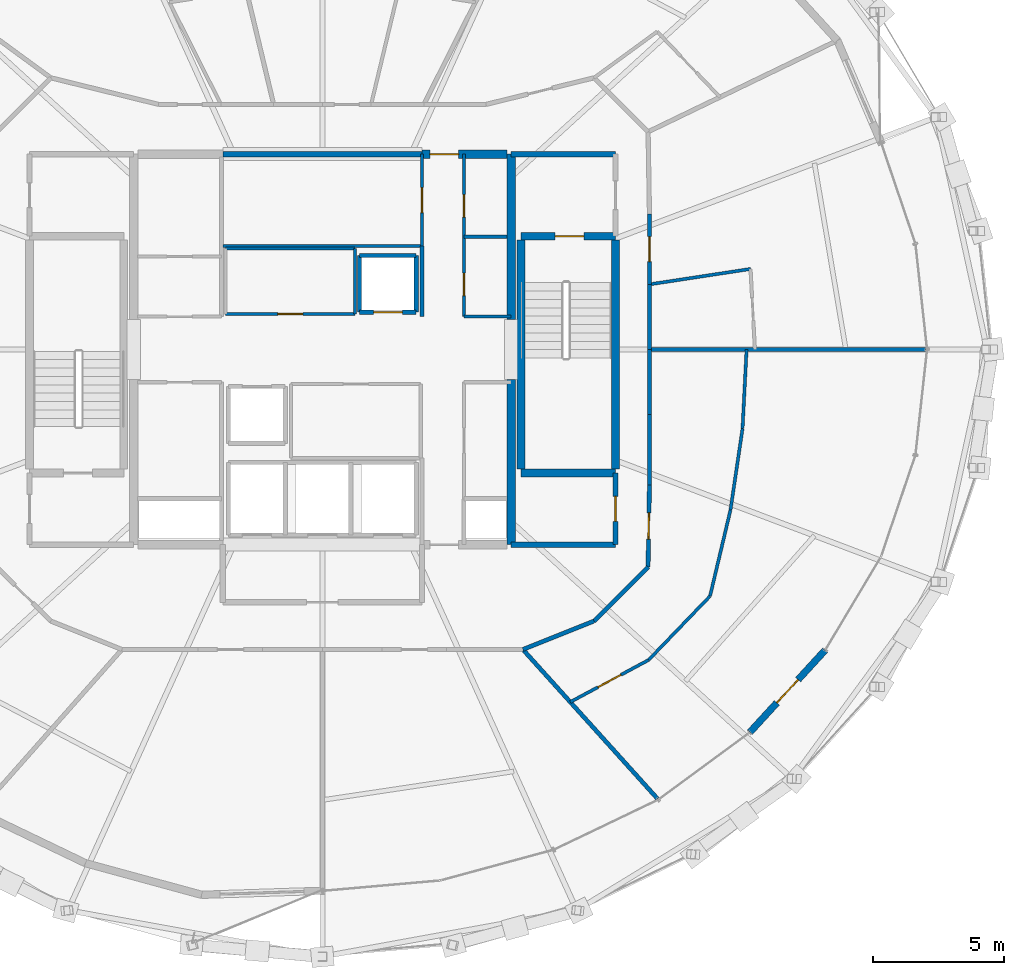
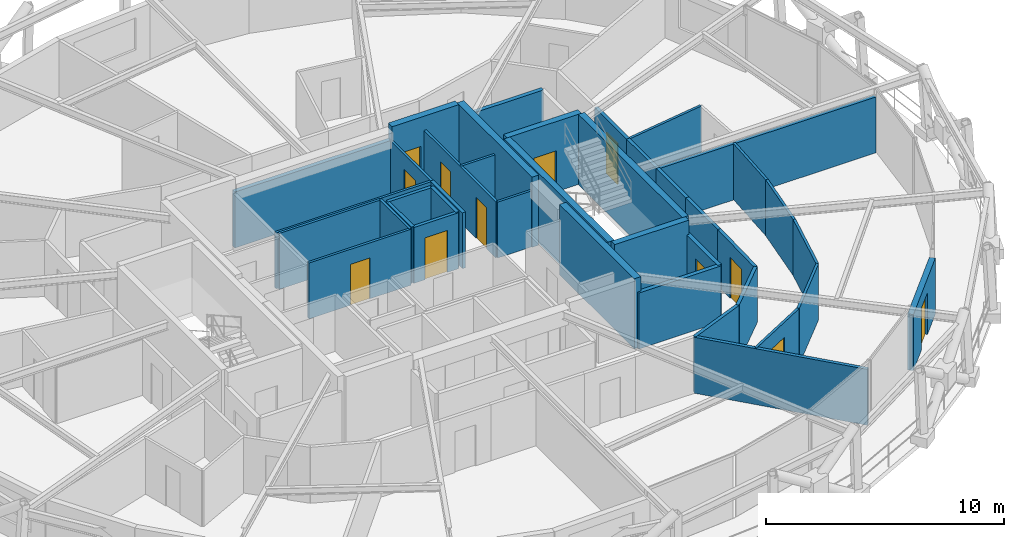
# One storey, part 14 of 17: 40 walls, 12 doors, 12 openings.
"""IFC4 building model written with IfcOpenShell, lengths in metres."""

from ifc_helpers import new_model, si_unit, direction, frame, frame_2d, origin, place, context, subcontext, project, spatial, rectangle, extrude, material, layer, layer_set, type_object, element, fill, save


model = new_model("IFC4")

# Units and contexts
model_context = context("Model", 3, precision=1e-05, world=origin(), true_north=direction((0.0, 1.0)))
body_context = subcontext(model_context, "Body", "Model", "MODEL_VIEW")
ifc_project = project(units=[si_unit("LENGTHUNIT", "METRE"), si_unit("AREAUNIT", "SQUARE_METRE"), si_unit("VOLUMEUNIT", "CUBIC_METRE"), si_unit("PLANEANGLEUNIT", "RADIAN"), si_unit("MASSUNIT", "GRAM", prefix="KILO")], contexts=[model_context])

# Site, building, storey
site_placement = place(None, origin())
site = spatial("IfcSite", under=ifc_project, at=site_placement, CompositionType="ELEMENT")
building_placement = place(site_placement, origin())
building = spatial("IfcBuilding", under=site, at=building_placement, Name="Veldorina Hangang Commons", CompositionType="ELEMENT")
storey_placement = place(building_placement, frame((0.0, 0.0, 214.800048828125)))
storey = spatial("IfcBuildingStorey", under=building, at=storey_placement, Name="L55", CompositionType="ELEMENT", Elevation=214.800048828125)

# Walls
ifc_material_1 = material(Name="Concrete C50/60", Category="concrete")
ifc_layer_1 = layer(ifc_material_1, 0.320068359375)
ifc_layer_set_1 = layer_set([ifc_layer_1], Name="Concrete C50/60")
wall_type_1 = type_object("IfcWallType", Name="CW-RC320-C50", PredefinedType="SHEAR", material=ifc_layer_set_1)
for number, where, z_axis, x_axis, name in (
    (1, (39.199951171875, 16.550048828125, 0.0), (0.0, 0.0, 1.0), (0.0, 1.0, 0.0), "L55 E south core shear wall"),
    (2, (39.199951171875, 25.14990234375, 0.0), (0.0, 0.0, 1.0), (0.0, 1.0, 0.0), "L55 E north core shear wall"),
):
    element("IfcWall", number, at=place(storey_placement, frame(where, z_axis=z_axis, x_axis=x_axis)), inside=storey, type_object=wall_type_1, Name=name, PredefinedType="SHEAR", context=body_context, shape_type="SweptSolid", body=[
        extrude(rectangle(XDim=6.300048828125, YDim=0.320068359375, at=frame_2d((3.14990234375, 0.0))), origin(), (0.0, 0.0, 1.0), 3.599853515625),
    ])

# Wall, opening, door
wall_1_placement = place(storey_placement, frame((35.800048828125, 31.449951171875, 0.0), z_axis=(0.0, 0.0, 1.0), x_axis=(1.0, 0.0, 0.0)))
wall_1 = element("IfcWall", 3, at=wall_1_placement, inside=storey, type_object=wall_type_1, Name="L55 north-east core shear wall", PredefinedType="SHEAR", context=body_context, shape_type="SweptSolid", body=[
    extrude(rectangle(XDim=3.239990234375, YDim=0.320068359375, at=frame_2d((1.6201171875, 0.0))), origin(), (0.0, 0.0, 1.0), 3.599853515625),
])
opening_1_placement = place(wall_1_placement, frame((0.300048828125, 0.0, 0.0)))
opening_1 = element("IfcOpeningElement", 4, at=opening_1_placement, cuts=wall_1, Name="Opening D-08", PredefinedType="OPENING", context=body_context, shape_type="SweptSolid", body=[
    extrude(rectangle(XDim=1.10009765625, YDim=2.10009765625, at=frame_2d((0.550048828125, 1.050048828125))), frame((0.0, 0.169921875, 0.0), z_axis=(0.0, -1.0, 0.0), x_axis=(1.0, 0.0, 0.0)), (0.0, 0.0, 1.0), 0.340087890625),
])
ifc_material_2 = material(Name="Steel Fire-Rated Smoke Seal", Category="steel")
door_type_1 = type_object("IfcDoorType", Name="DR-FIRE-1100", OperationType="SINGLE_SWING_RIGHT", PredefinedType="DOOR", material=ifc_material_2)
door_1_placement = place(opening_1_placement, origin())
door_1 = element("IfcDoor", 5, at=door_1_placement, inside=storey, type_object=door_type_1, Name="L55 central lift lobby north corridor door", OperationType="SINGLE_SWING_LEFT", OverallHeight=2.10009765625, OverallWidth=1.10009765625, PredefinedType="DOOR", context=body_context, shape_type="SweptSolid", body=[
    extrude(rectangle(XDim=1.10009765625, YDim=2.10009765625, at=frame_2d((0.550048828125, 1.050048828125))), frame((0.0, 0.02490234375, 0.0), z_axis=(0.0, -1.0, 0.0), x_axis=(1.0, 0.0, 0.0)), (0.0, 0.0, 1.0), 0.050048828125),
])
fill(opening_1, door_1)

ifc_material_3 = material(Name="Stone Roman Travertine", Category="masonry")
ifc_layer_2 = layer(ifc_material_3, 0.260009765625)
ifc_layer_set_2 = layer_set([ifc_layer_2], Name="Stone Roman Travertine")
wall_type_2 = type_object("IfcWallType", Name="EW-LOGGIA-260", PredefinedType="STANDARD", material=ifc_layer_set_2)
wall_2_placement = place(storey_placement, frame((48.31298828125, 9.39208984375, 0.0), z_axis=(0.0, 0.0, 1.0), x_axis=(0.675617876926, 0.737251981603, 0.0)))
wall_2 = element("IfcWall", 6, at=wall_2_placement, inside=storey, type_object=wall_type_2, Name="L55 sky-garden loggia portal wall 28", PredefinedType="STANDARD", context=body_context, shape_type="SweptSolid", body=[
    extrude(rectangle(XDim=4.246337890625, YDim=0.260009765625, at=frame_2d((2.123046875, 0.0))), origin(), (0.0, 0.0, 1.0), 2.8798828125),
])
opening_2_placement = place(wall_2_placement, frame((1.523193359375, 0.0, 0.0)))
opening_2 = element("IfcOpeningElement", 7, at=opening_2_placement, cuts=wall_2, Name="Opening BD-1200", PredefinedType="OPENING", context=body_context, shape_type="SweptSolid", body=[
    extrude(rectangle(XDim=1.199951171875, YDim=2.14990234375, at=frame_2d((0.60009765625, 1.074951171875))), frame((0.0, 0.14013671875, 0.0), z_axis=(0.0, -1.0, 0.0), x_axis=(1.0, 0.0, 0.0)), (0.0, 0.0, 1.0), 0.280029296875),
])
ifc_material_4 = material(Name="Glass Thermal Aluminium Frame", Category="aluminium")
door_type_2 = type_object("IfcDoorType", Name="DR-EXT-LOG1200", OperationType="SINGLE_SWING_LEFT", PredefinedType="DOOR", material=ifc_material_4)
door_2_placement = place(opening_2_placement, origin())
door_2 = element("IfcDoor", 8, at=door_2_placement, inside=storey, type_object=door_type_2, Name="L55 loggia glazed exterior door 28", OperationType="SINGLE_SWING_LEFT", OverallHeight=2.14990234375, OverallWidth=1.199951171875, PredefinedType="DOOR", context=body_context, shape_type="SweptSolid", body=[
    extrude(rectangle(XDim=1.199951171875, YDim=2.14990234375, at=frame_2d((0.60009765625, 1.074951171875))), frame((0.0, 0.02490234375, 0.0), z_axis=(0.0, -1.0, 0.0), x_axis=(1.0, 0.0, 0.0)), (0.0, 0.0, 1.0), 0.050048828125),
])
fill(opening_2, door_2)

# Walls
ifc_layer_3 = layer(ifc_material_1, 0.300048828125)
ifc_layer_set_3 = layer_set([ifc_layer_3], Name="Concrete C50/60")
wall_type_3 = type_object("IfcWallType", Name="SW-STAIR-300", PredefinedType="SHEAR", material=ifc_layer_set_3)
for number, where, z_axis, x_axis, name in (
    (9, (43.179931640625, 19.429931640625, 0.0), (0.0, 0.0, 1.0), (0.0, 1.0, 0.0), "L55 ST2 outer stair shear wall"),
    (10, (39.580078125, 19.429931640625, 0.0), (0.0, 0.0, 1.0), (0.0, 1.0, 0.0), "L55 ST2 inner stair shear wall"),
):
    element("IfcWall", number, at=place(storey_placement, frame(where, z_axis=z_axis, x_axis=x_axis)), inside=storey, type_object=wall_type_3, Name=name, PredefinedType="SHEAR", context=body_context, shape_type="SweptSolid", body=[
        extrude(rectangle(XDim=8.739990234375, YDim=0.300048828125, at=frame_2d((4.3701171875, 0.0))), origin(), (0.0, 0.0, 1.0), 3.599853515625),
    ])
wall_3_placement = place(storey_placement, frame((39.580078125, 19.280029296875, 0.0), z_axis=(0.0, 0.0, 1.0), x_axis=(1.0, 0.0, 0.0)))
element("IfcWall", 11, at=wall_3_placement, inside=storey, type_object=wall_type_3, Name="L55 ST2 south stair shear wall", PredefinedType="SHEAR", context=body_context, shape_type="SweptSolid", body=[
    extrude(rectangle(XDim=3.599853515625, YDim=0.300048828125, at=frame_2d((1.7998046875, 0.0))), origin(), (0.0, 0.0, 1.0), 3.599853515625),
])

# Wall, opening, door
wall_4_placement = place(storey_placement, frame((39.580078125, 28.320068359375, 0.0), z_axis=(0.0, 0.0, 1.0), x_axis=(1.0, 0.0, 0.0)))
wall_4 = element("IfcWall", 12, at=wall_4_placement, inside=storey, type_object=wall_type_3, Name="L55 ST2 north stair shear wall", PredefinedType="SHEAR", context=body_context, shape_type="SweptSolid", body=[
    extrude(rectangle(XDim=3.599853515625, YDim=0.300048828125, at=frame_2d((1.7998046875, 0.0))), origin(), (0.0, 0.0, 1.0), 3.599853515625),
])
opening_3_placement = place(wall_4_placement, frame((1.300048828125, 0.0, 0.0)))
opening_3 = element("IfcOpeningElement", 13, at=opening_3_placement, cuts=wall_4, Name="Opening D-08", PredefinedType="OPENING", context=body_context, shape_type="SweptSolid", body=[
    extrude(rectangle(XDim=1.10009765625, YDim=2.10009765625, at=frame_2d((0.550048828125, 1.050048828125))), frame((0.0, 0.16015625, 0.0), z_axis=(0.0, -1.0, 0.0), x_axis=(1.0, 0.0, 0.0)), (0.0, 0.0, 1.0), 0.320068359375),
])
door_3_placement = place(opening_3_placement, origin())
door_3 = element("IfcDoor", 14, at=door_3_placement, inside=storey, type_object=door_type_1, Name="L55 Special Escape Stair ST-2 door", OperationType="SINGLE_SWING_RIGHT", OverallHeight=2.10009765625, OverallWidth=1.10009765625, PredefinedType="DOOR", context=body_context, shape_type="SweptSolid", body=[
    extrude(rectangle(XDim=1.10009765625, YDim=2.10009765625, at=frame_2d((0.550048828125, 1.050048828125))), frame((0.0, 0.02490234375, 0.0), z_axis=(0.0, -1.0, 0.0), x_axis=(1.0, 0.0, 0.0)), (0.0, 0.0, 1.0), 0.050048828125),
])
fill(opening_3, door_3)

# Wall
ifc_material_5 = material(Name="Gypsum Fire-Rated Twin Stud Wall", Category="gypsum")
ifc_layer_4 = layer(ifc_material_5, 0.159912109375)
ifc_layer_set_4 = layer_set([ifc_layer_4], Name="Gypsum Fire-Rated Twin Stud Wall")
wall_type_4 = type_object("IfcWallType", Name="WL-FIRE-160", PredefinedType="SOLIDWALL", material=ifc_layer_set_4)
wall_5_placement = place(storey_placement, frame((35.800048828125, 25.25, 0.0), z_axis=(0.0, 0.0, 1.0), x_axis=(0.0, 1.0, 0.0)))
element("IfcWall", 15, at=wall_5_placement, inside=storey, type_object=wall_type_4, Name="L55 Lift passage NW lower wall 011", PredefinedType="SOLIDWALL", context=body_context, shape_type="SweptSolid", body=[
    extrude(rectangle(XDim=2.699951171875, YDim=0.159912109375, at=frame_2d((1.35009765625, 0.0))), origin(), (0.0, 0.0, 1.0), 2.869873046875),
])

# Wall, opening, door
wall_6_placement = place(storey_placement, frame((33.419921875, 25.419921875, 0.0), z_axis=(0.0, 0.0, 1.0), x_axis=(1.0, 0.0, 0.0)))
wall_6 = element("IfcWall", 16, at=wall_6_placement, inside=storey, type_object=wall_type_4, Name="L55 Mid-high front shaft wall 015", PredefinedType="SOLIDWALL", context=body_context, shape_type="SweptSolid", body=[
    extrude(rectangle(XDim=2.16015625, YDim=0.159912109375, at=frame_2d((1.080078125, 0.0))), origin(), (0.0, 0.0, 1.0), 2.869873046875),
])
opening_4_placement = place(wall_6_placement, frame((0.530029296875, 0.0, 0.0)))
opening_4 = element("IfcOpeningElement", 17, at=opening_4_placement, cuts=wall_6, Name="Opening LD-01", PredefinedType="OPENING", context=body_context, shape_type="SweptSolid", body=[
    extrude(rectangle(XDim=1.10009765625, YDim=2.14990234375, at=frame_2d((0.550048828125, 1.074951171875))), frame((0.0, 0.08984375, 0.0), z_axis=(0.0, -1.0, 0.0), x_axis=(1.0, 0.0, 0.0)), (0.0, 0.0, 1.0), 0.179931640625),
])
ifc_material_6 = material(Name="Stainless Steel Brushed Lift Door", Category="steel")
door_type_3 = type_object("IfcDoorType", Name="DR-LIFT-1100", OperationType="SLIDING_TO_LEFT", PredefinedType="DOOR", material=ifc_material_6)
door_4_placement = place(opening_4_placement, origin())
door_4 = element("IfcDoor", 18, at=door_4_placement, inside=storey, type_object=door_type_3, Name="L55 Lift PL-H1 landing door 006", OperationType="SLIDING_TO_RIGHT", OverallHeight=2.14990234375, OverallWidth=1.10009765625, PredefinedType="DOOR", context=body_context, shape_type="SweptSolid", body=[
    extrude(rectangle(XDim=1.10009765625, YDim=2.14990234375, at=frame_2d((0.550048828125, 1.074951171875))), frame((0.0, 0.02490234375, 0.0), z_axis=(0.0, -1.0, 0.0), x_axis=(1.0, 0.0, 0.0)), (0.0, 0.0, 1.0), 0.050048828125),
])
fill(opening_4, door_4)

# Walls
for number, where, z_axis, x_axis, name in (
    (19, (33.419921875, 27.580078125, 0.0), (0.0, 0.0, 1.0), (1.0, 0.0, 0.0), "L55 Mid-high rear shaft wall 016"),
    (20, (33.419921875, 25.419921875, 0.0), (0.0, 0.0, 1.0), (0.0, 1.0, 0.0), "L55 PL-H1 west shaft wall 017"),
    (21, (35.580078125, 25.419921875, 0.0), (0.0, 0.0, 1.0), (0.0, 1.0, 0.0), "L55 PL-H1 east shaft wall 018"),
):
    element("IfcWall", number, at=place(storey_placement, frame(where, z_axis=z_axis, x_axis=x_axis)), inside=storey, type_object=wall_type_4, Name=name, PredefinedType="SOLIDWALL", context=body_context, shape_type="SweptSolid", body=[
        extrude(rectangle(XDim=2.16015625, YDim=0.159912109375, at=frame_2d((1.080078125, 0.0))), origin(), (0.0, 0.0, 1.0), 2.869873046875),
    ])
wall_7_placement = place(storey_placement, frame((44.47998046875, 24.0, 0.0), z_axis=(0.0, 0.0, 1.0), x_axis=(0.0, 1.0, 0.0)))
element("IfcWall", 22, at=wall_7_placement, inside=storey, type_object=wall_type_4, Name="L55 Compact collar outer wall 00 052", PredefinedType="SOLIDWALL", context=body_context, shape_type="SweptSolid", body=[
    extrude(rectangle(XDim=2.482421875, YDim=0.159912109375, at=frame_2d((1.2412109375, 0.0))), origin(), (0.0, 0.0, 1.0), 2.869873046875),
])

# Wall, opening, door
wall_8_placement = place(storey_placement, frame((44.47998046875, 26.482421875, 0.0), z_axis=(0.0, 0.0, 1.0), x_axis=(0.0, 1.0, 0.0)))
wall_8 = element("IfcWall", 23, at=wall_8_placement, inside=storey, type_object=wall_type_4, Name="L55 Compact collar outer wall 01 053", PredefinedType="SOLIDWALL", context=body_context, shape_type="SweptSolid", body=[
    extrude(rectangle(XDim=2.68701171875, YDim=0.159912109375, at=frame_2d((1.343505859375, 0.0))), origin(), (0.0, 0.0, 1.0), 2.869873046875),
])
opening_5_placement = place(wall_8_placement, frame((0.868408203125, 0.0, 0.0)))
opening_5 = element("IfcOpeningElement", 24, at=opening_5_placement, cuts=wall_8, Name="Opening D-03", PredefinedType="OPENING", context=body_context, shape_type="SweptSolid", body=[
    extrude(rectangle(XDim=0.949951171875, YDim=2.10009765625, at=frame_2d((0.47509765625, 1.050048828125))), frame((0.0, 0.08984375, 0.0), z_axis=(0.0, -1.0, 0.0), x_axis=(1.0, 0.0, 0.0)), (0.0, 0.0, 1.0), 0.179931640625),
])
ifc_material_7 = material(Name="Timber Fire-Rated Entrance Core", Category="wood")
door_type_4 = type_object("IfcDoorType", Name="DR-UNIT-950", OperationType="SINGLE_SWING_RIGHT", PredefinedType="DOOR", material=ifc_material_7)
door_5_placement = place(opening_5_placement, origin())
door_5 = element("IfcDoor", 25, at=door_5_placement, inside=storey, type_object=door_type_4, Name="L55 Studio 2 entrance door 023", OperationType="SINGLE_SWING_LEFT", OverallHeight=2.10009765625, OverallWidth=0.949951171875, PredefinedType="DOOR", context=body_context, shape_type="SweptSolid", body=[
    extrude(rectangle(XDim=0.949951171875, YDim=2.10009765625, at=frame_2d((0.47509765625, 1.050048828125))), frame((0.0, 0.02490234375, 0.0), z_axis=(0.0, -1.0, 0.0), x_axis=(1.0, 0.0, 0.0)), (0.0, 0.0, 1.0), 0.050048828125),
])
fill(opening_5, door_5)

# Walls
wall_9_placement = place(storey_placement, frame((39.650634765625, 12.550048828125, 0.0), z_axis=(0.0, 0.0, 1.0), x_axis=(0.92856882165, 0.371160266542, 0.0)))
element("IfcWall", 26, at=wall_9_placement, inside=storey, type_object=wall_type_4, Name="L55 Compact collar outer wall 27 079", PredefinedType="SOLIDWALL", context=body_context, shape_type="SweptSolid", body=[
    extrude(rectangle(XDim=2.923095703125, YDim=0.159912109375, at=frame_2d((1.46142578125, 0.0))), origin(), (0.0, 0.0, 1.0), 2.869873046875),
])
wall_10_placement = place(storey_placement, frame((42.364990234375, 13.635009765625, 0.0), z_axis=(0.0, 0.0, 1.0), x_axis=(0.707106781187, 0.707106781187, 0.0)))
element("IfcWall", 27, at=wall_10_placement, inside=storey, type_object=wall_type_4, Name="L55 Compact collar outer wall 28 080", PredefinedType="SOLIDWALL", context=body_context, shape_type="SweptSolid", body=[
    extrude(rectangle(XDim=2.915771484375, YDim=0.159912109375, at=frame_2d((1.4580078125, 0.0))), origin(), (0.0, 0.0, 1.0), 2.869873046875),
])

# Wall, opening, door
wall_11_placement = place(storey_placement, frame((44.4267578125, 15.69677734375, 0.0), z_axis=(0.0, 0.0, 1.0), x_axis=(0.016981035134, 0.999855811828, 0.0)))
wall_11 = element("IfcWall", 28, at=wall_11_placement, inside=storey, type_object=wall_type_4, Name="L55 Compact collar outer wall 29 081", PredefinedType="SOLIDWALL", context=body_context, shape_type="SweptSolid", body=[
    extrude(rectangle(XDim=3.13427734375, YDim=0.159912109375, at=frame_2d((1.567138671875, 0.0))), origin(), (0.0, 0.0, 1.0), 2.869873046875),
])
opening_6_placement = place(wall_11_placement, frame((1.067138671875, 0.0, 0.0)))
opening_6 = element("IfcOpeningElement", 29, at=opening_6_placement, cuts=wall_11, Name="Opening D-05", PredefinedType="OPENING", context=body_context, shape_type="SweptSolid", body=[
    extrude(rectangle(XDim=1.0, YDim=2.10009765625, at=frame_2d((0.5, 1.050048828125))), frame((0.0, 0.08984375, 0.0), z_axis=(0.0, -1.0, 0.0), x_axis=(1.0, 0.0, 0.0)), (0.0, 0.0, 1.0), 0.179931640625),
])
ifc_material_8 = material(Name="Timber Solid Core Acoustic", Category="wood")
door_type_5 = type_object("IfcDoorType", Name="DR-INT-1000", OperationType="SINGLE_SWING_RIGHT", PredefinedType="DOOR", material=ifc_material_8)
door_6_placement = place(opening_6_placement, origin())
door_6 = element("IfcDoor", 30, at=door_6_placement, inside=storey, type_object=door_type_5, Name="L55 Commons alcove door 020", OperationType="SINGLE_SWING_RIGHT", OverallHeight=2.10009765625, OverallWidth=1.0, PredefinedType="DOOR", context=body_context, shape_type="SweptSolid", body=[
    extrude(rectangle(XDim=1.0, YDim=2.10009765625, at=frame_2d((0.5, 1.050048828125))), frame((0.0, 0.02490234375, 0.0), z_axis=(0.0, -1.0, 0.0), x_axis=(1.0, 0.0, 0.0)), (0.0, 0.0, 1.0), 0.050048828125),
])
fill(opening_6, door_6)

# Walls
wall_12_placement = place(storey_placement, frame((44.47998046875, 18.83056640625, 0.0), z_axis=(0.0, 0.0, 1.0), x_axis=(0.0, 1.0, 0.0)))
element("IfcWall", 31, at=wall_12_placement, inside=storey, type_object=wall_type_4, Name="L55 Compact collar outer wall 30 082", PredefinedType="SOLIDWALL", context=body_context, shape_type="SweptSolid", body=[
    extrude(rectangle(XDim=2.68701171875, YDim=0.159912109375, at=frame_2d((1.343505859375, 0.0))), origin(), (0.0, 0.0, 1.0), 2.869873046875),
])
wall_13_placement = place(storey_placement, frame((44.47998046875, 21.517578125, 0.0), z_axis=(0.0, 0.0, 1.0), x_axis=(0.0, 1.0, 0.0)))
element("IfcWall", 32, at=wall_13_placement, inside=storey, type_object=wall_type_4, Name="L55 Compact collar outer wall 31 083", PredefinedType="SOLIDWALL", context=body_context, shape_type="SweptSolid", body=[
    extrude(rectangle(XDim=2.482421875, YDim=0.159912109375, at=frame_2d((1.2412109375, 0.0))), origin(), (0.0, 0.0, 1.0), 2.869873046875),
])
wall_14_placement = place(storey_placement, frame((39.650634765625, 12.550048828125, 0.0), z_axis=(0.0, 0.0, 1.0), x_axis=(0.669803904272, -0.742538032576, 0.0)))
element("IfcWall", 33, at=wall_14_placement, inside=storey, type_object=wall_type_4, Name="L55 Unit party wall 27 084", PredefinedType="SOLIDWALL", context=body_context, shape_type="SweptSolid", body=[
    extrude(rectangle(XDim=7.6630859375, YDim=0.159912109375, at=frame_2d((3.83154296875, 0.0))), origin(), (0.0, 0.0, 1.0), 2.869873046875),
])
wall_15_placement = place(storey_placement, frame((44.47998046875, 24.0, 0.0), z_axis=(0.0, 0.0, 1.0), x_axis=(1.0, 0.0, 0.0)))
element("IfcWall", 34, at=wall_15_placement, inside=storey, type_object=wall_type_4, Name="L55 Unit party wall 00 090", PredefinedType="SOLIDWALL", context=body_context, shape_type="SweptSolid", body=[
    extrude(rectangle(XDim=10.5400390625, YDim=0.159912109375, at=frame_2d((5.27001953125, 0.0))), origin(), (0.0, 0.0, 1.0), 2.869873046875),
])
ifc_material_9 = material(Name="Concrete Blockwork Fire Wall C30/37", Category="masonry")
ifc_layer_5 = layer(ifc_material_9, 0.199951171875)
ifc_layer_set_5 = layer_set([ifc_layer_5], Name="Concrete Blockwork Fire Wall C30/37")
wall_type_5 = type_object("IfcWallType", Name="WL-FIRE-200", PredefinedType="SOLIDWALL", material=ifc_layer_set_5)
wall_16_placement = place(storey_placement, frame((39.199951171875, 31.449951171875, 0.0), z_axis=(0.0, 0.0, 1.0), x_axis=(1.0, 0.0, 0.0)))
element("IfcWall", 35, at=wall_16_placement, inside=storey, type_object=wall_type_5, Name="L55 East vestibule north wall 004", PredefinedType="SOLIDWALL", context=body_context, shape_type="SweptSolid", body=[
    extrude(rectangle(XDim=3.97998046875, YDim=0.199951171875, at=frame_2d((1.989990234375, 0.0))), origin(), (0.0, 0.0, 1.0), 2.869873046875),
])

# Wall, opening, door
wall_17_placement = place(storey_placement, frame((43.179931640625, 16.550048828125, 0.0), z_axis=(0.0, 0.0, 1.0), x_axis=(0.0, 1.0, 0.0)))
wall_17 = element("IfcWall", 36, at=wall_17_placement, inside=storey, type_object=wall_type_5, Name="L55 SE core room outer wall 007", PredefinedType="SOLIDWALL", context=body_context, shape_type="SweptSolid", body=[
    extrude(rectangle(XDim=2.72998046875, YDim=0.199951171875, at=frame_2d((1.364990234375, 0.0))), origin(), (0.0, 0.0, 1.0), 2.869873046875),
])
opening_7_placement = place(wall_17_placement, frame((0.889892578125, 0.0, 0.0)))
opening_7 = element("IfcOpeningElement", 37, at=opening_7_placement, cuts=wall_17, Name="Opening D-02", PredefinedType="OPENING", context=body_context, shape_type="SweptSolid", body=[
    extrude(rectangle(XDim=0.949951171875, YDim=2.10009765625, at=frame_2d((0.47509765625, 1.050048828125))), frame((0.0, 0.10986328125, 0.0), z_axis=(0.0, -1.0, 0.0), x_axis=(1.0, 0.0, 0.0)), (0.0, 0.0, 1.0), 0.219970703125),
])
door_type_6 = type_object("IfcDoorType", Name="DR-INT-950", OperationType="SINGLE_SWING_LEFT", PredefinedType="DOOR", material=ifc_material_8)
door_7_placement = place(opening_7_placement, origin())
door_7 = element("IfcDoor", 38, at=door_7_placement, inside=storey, type_object=door_type_6, Name="L55 SE core WC door 004", OperationType="SINGLE_SWING_RIGHT", OverallHeight=2.10009765625, OverallWidth=0.949951171875, PredefinedType="DOOR", context=body_context, shape_type="SweptSolid", body=[
    extrude(rectangle(XDim=0.949951171875, YDim=2.10009765625, at=frame_2d((0.47509765625, 1.050048828125))), frame((0.0, 0.02490234375, 0.0), z_axis=(0.0, -1.0, 0.0), x_axis=(1.0, 0.0, 0.0)), (0.0, 0.0, 1.0), 0.050048828125),
])
fill(opening_7, door_7)

# Walls
wall_18_placement = place(storey_placement, frame((39.199951171875, 16.550048828125, 0.0), z_axis=(0.0, 0.0, 1.0), x_axis=(1.0, 0.0, 0.0)))
element("IfcWall", 39, at=wall_18_placement, inside=storey, type_object=wall_type_5, Name="L55 SE core room south wall 008", PredefinedType="SOLIDWALL", context=body_context, shape_type="SweptSolid", body=[
    extrude(rectangle(XDim=3.97998046875, YDim=0.199951171875, at=frame_2d((1.989990234375, 0.0))), origin(), (0.0, 0.0, 1.0), 2.869873046875),
])
wall_19_placement = place(storey_placement, frame((28.199951171875, 31.449951171875, 0.0), z_axis=(0.0, 0.0, 1.0), x_axis=(1.0, 0.0, 0.0)))
element("IfcWall", 40, at=wall_19_placement, inside=storey, type_object=wall_type_5, Name="L55 Merged north core wall 029", PredefinedType="SOLIDWALL", context=body_context, shape_type="SweptSolid", body=[
    extrude(rectangle(XDim=7.60009765625, YDim=0.199951171875, at=frame_2d((3.800048828125, 0.0))), origin(), (0.0, 0.0, 1.0), 2.869873046875),
])
ifc_material_10 = material(Name="Gypsum Acoustic Stud Partition", Category="gypsum")
ifc_layer_6 = layer(ifc_material_10, 0.1201171875)
ifc_layer_set_6 = layer_set([ifc_layer_6], Name="Gypsum Acoustic Stud Partition")
wall_type_6 = type_object("IfcWallType", Name="WL-PART-120", PredefinedType="PARTITIONING", material=ifc_layer_set_6)
wall_20_placement = place(storey_placement, frame((28.199951171875, 27.949951171875, 0.0), z_axis=(0.0, 0.0, 1.0), x_axis=(1.0, 0.0, 0.0)))
element("IfcWall", 41, at=wall_20_placement, inside=storey, type_object=wall_type_6, Name="L55 Merged north south wall 030", PredefinedType="PARTITIONING", context=body_context, shape_type="SweptSolid", body=[
    extrude(rectangle(XDim=7.60009765625, YDim=0.1201171875, at=frame_2d((3.800048828125, 0.0))), origin(), (0.0, 0.0, 1.0), 2.869873046875),
])

# Wall, opening, door
wall_21_placement = place(storey_placement, frame((35.800048828125, 27.949951171875, 0.0), z_axis=(0.0, 0.0, 1.0), x_axis=(0.0, 1.0, 0.0)))
wall_21 = element("IfcWall", 42, at=wall_21_placement, inside=storey, type_object=wall_type_6, Name="L55 Merged north east wall 031", PredefinedType="PARTITIONING", context=body_context, shape_type="SweptSolid", body=[
    extrude(rectangle(XDim=3.5, YDim=0.1201171875, at=frame_2d((1.75, 0.0))), origin(), (0.0, 0.0, 1.0), 2.869873046875),
])
opening_8_placement = place(wall_21_placement, frame((1.27490234375, 0.0, 0.0)))
opening_8 = element("IfcOpeningElement", 43, at=opening_8_placement, cuts=wall_21, Name="Opening D-02", PredefinedType="OPENING", context=body_context, shape_type="SweptSolid", body=[
    extrude(rectangle(XDim=0.949951171875, YDim=2.10009765625, at=frame_2d((0.47509765625, 1.050048828125))), frame((0.0, 0.070068359375, 0.0), z_axis=(0.0, -1.0, 0.0), x_axis=(1.0, 0.0, 0.0)), (0.0, 0.0, 1.0), 0.14013671875),
])
door_8_placement = place(opening_8_placement, origin())
door_8 = element("IfcDoor", 44, at=door_8_placement, inside=storey, type_object=door_type_6, Name="L55 Merged north room lobby door 011", OperationType="SINGLE_SWING_LEFT", OverallHeight=2.10009765625, OverallWidth=0.949951171875, PredefinedType="DOOR", context=body_context, shape_type="SweptSolid", body=[
    extrude(rectangle(XDim=0.949951171875, YDim=2.10009765625, at=frame_2d((0.47509765625, 1.050048828125))), frame((0.0, 0.02490234375, 0.0), z_axis=(0.0, -1.0, 0.0), x_axis=(1.0, 0.0, 0.0)), (0.0, 0.0, 1.0), 0.050048828125),
])
fill(opening_8, door_8)

wall_22_placement = place(storey_placement, frame((28.300048828125, 25.35009765625, 0.0), z_axis=(0.0, 0.0, 1.0), x_axis=(1.0, 0.0, 0.0)))
wall_22 = element("IfcWall", 45, at=wall_22_placement, inside=storey, type_object=wall_type_6, Name="L55 Merged mid-bank south wall 032", PredefinedType="PARTITIONING", context=body_context, shape_type="SweptSolid", body=[
    extrude(rectangle(XDim=4.949951171875, YDim=0.1201171875, at=frame_2d((2.47509765625, 0.0))), origin(), (0.0, 0.0, 1.0), 2.869873046875),
])
opening_9_placement = place(wall_22_placement, frame((2.0, 0.0, 0.0)))
opening_9 = element("IfcOpeningElement", 46, at=opening_9_placement, cuts=wall_22, Name="Opening D-02", PredefinedType="OPENING", context=body_context, shape_type="SweptSolid", body=[
    extrude(rectangle(XDim=0.949951171875, YDim=2.10009765625, at=frame_2d((0.47509765625, 1.050048828125))), frame((0.0, 0.070068359375, 0.0), z_axis=(0.0, -1.0, 0.0), x_axis=(1.0, 0.0, 0.0)), (0.0, 0.0, 1.0), 0.14013671875),
])
door_9_placement = place(opening_9_placement, origin())
door_9 = element("IfcDoor", 47, at=door_9_placement, inside=storey, type_object=door_type_6, Name="L55 Quiet study room door 012", OperationType="SINGLE_SWING_RIGHT", OverallHeight=2.10009765625, OverallWidth=0.949951171875, PredefinedType="DOOR", context=body_context, shape_type="SweptSolid", body=[
    extrude(rectangle(XDim=0.949951171875, YDim=2.10009765625, at=frame_2d((0.47509765625, 1.050048828125))), frame((0.0, 0.02490234375, 0.0), z_axis=(0.0, -1.0, 0.0), x_axis=(1.0, 0.0, 0.0)), (0.0, 0.0, 1.0), 0.050048828125),
])
fill(opening_9, door_9)

# Walls
wall_23_placement = place(storey_placement, frame((28.300048828125, 27.85009765625, 0.0), z_axis=(0.0, 0.0, 1.0), x_axis=(1.0, 0.0, 0.0)))
element("IfcWall", 48, at=wall_23_placement, inside=storey, type_object=wall_type_6, Name="L55 Merged mid-bank north wall 033", PredefinedType="PARTITIONING", context=body_context, shape_type="SweptSolid", body=[
    extrude(rectangle(XDim=4.949951171875, YDim=0.1201171875, at=frame_2d((2.47509765625, 0.0))), origin(), (0.0, 0.0, 1.0), 2.869873046875),
])
wall_24_placement = place(storey_placement, frame((33.25, 25.35009765625, 0.0), z_axis=(0.0, 0.0, 1.0), x_axis=(0.0, 1.0, 0.0)))
element("IfcWall", 49, at=wall_24_placement, inside=storey, type_object=wall_type_6, Name="L55 Merged mid-bank east wall 035", PredefinedType="PARTITIONING", context=body_context, shape_type="SweptSolid", body=[
    extrude(rectangle(XDim=2.5, YDim=0.1201171875, at=frame_2d((1.25, 0.0))), origin(), (0.0, 0.0, 1.0), 2.869873046875),
])

# Wall, openings, doors
wall_25_placement = place(storey_placement, frame((37.39990234375, 25.25, 0.0), z_axis=(0.0, 0.0, 1.0), x_axis=(0.0, 1.0, 0.0)))
wall_25 = element("IfcWall", 50, at=wall_25_placement, inside=storey, type_object=wall_type_6, Name="L55 NE strip lobby wall 046", PredefinedType="PARTITIONING", context=body_context, shape_type="SweptSolid", body=[
    extrude(rectangle(XDim=6.199951171875, YDim=0.1201171875, at=frame_2d((3.10009765625, 0.0))), origin(), (0.0, 0.0, 1.0), 2.869873046875),
])
opening_10_placement = place(wall_25_placement, frame((0.800048828125, 0.0, 0.0)))
opening_10 = element("IfcOpeningElement", 51, at=opening_10_placement, cuts=wall_25, Name="Opening D-01", PredefinedType="OPENING", context=body_context, shape_type="SweptSolid", body=[
    extrude(rectangle(XDim=0.860107421875, YDim=2.10009765625, at=frame_2d((0.43017578125, 1.050048828125))), frame((0.0, 0.070068359375, 0.0), z_axis=(0.0, -1.0, 0.0), x_axis=(1.0, 0.0, 0.0)), (0.0, 0.0, 1.0), 0.14013671875),
])
opening_11_placement = place(wall_25_placement, frame((3.800048828125, 0.0, 0.0)))
opening_11 = element("IfcOpeningElement", 52, at=opening_11_placement, cuts=wall_25, Name="Opening D-01", PredefinedType="OPENING", context=body_context, shape_type="SweptSolid", body=[
    extrude(rectangle(XDim=0.860107421875, YDim=2.10009765625, at=frame_2d((0.43017578125, 1.050048828125))), frame((0.0, 0.070068359375, 0.0), z_axis=(0.0, -1.0, 0.0), x_axis=(1.0, 0.0, 0.0)), (0.0, 0.0, 1.0), 0.14013671875),
])
ifc_material_11 = material(Name="Timber Moisture-Resistant Core", Category="wood")
door_type_7 = type_object("IfcDoorType", Name="DR-WET-860", OperationType="SINGLE_SWING_LEFT", PredefinedType="DOOR", material=ifc_material_11)
door_10_placement = place(opening_10_placement, origin())
door_10 = element("IfcDoor", 53, at=door_10_placement, inside=storey, type_object=door_type_7, Name="L55 Electrical closet door 017", OperationType="SINGLE_SWING_LEFT", OverallHeight=2.10009765625, OverallWidth=0.860107421875, PredefinedType="DOOR", context=body_context, shape_type="SweptSolid", body=[
    extrude(rectangle(XDim=0.860107421875, YDim=2.10009765625, at=frame_2d((0.43017578125, 1.050048828125))), frame((0.0, 0.02490234375, 0.0), z_axis=(0.0, -1.0, 0.0), x_axis=(1.0, 0.0, 0.0)), (0.0, 0.0, 1.0), 0.050048828125),
])
fill(opening_10, door_10)
door_11_placement = place(opening_11_placement, origin())
door_11 = element("IfcDoor", 54, at=door_11_placement, inside=storey, type_object=door_type_7, Name="L55 IT closet door 018", OperationType="SINGLE_SWING_RIGHT", OverallHeight=2.10009765625, OverallWidth=0.860107421875, PredefinedType="DOOR", context=body_context, shape_type="SweptSolid", body=[
    extrude(rectangle(XDim=0.860107421875, YDim=2.10009765625, at=frame_2d((0.43017578125, 1.050048828125))), frame((0.0, 0.02490234375, 0.0), z_axis=(0.0, -1.0, 0.0), x_axis=(1.0, 0.0, 0.0)), (0.0, 0.0, 1.0), 0.050048828125),
])
fill(opening_11, door_11)

# Walls
wall_26_placement = place(storey_placement, frame((37.39990234375, 25.25, 0.0), z_axis=(0.0, 0.0, 1.0), x_axis=(1.0, 0.0, 0.0)))
element("IfcWall", 55, at=wall_26_placement, inside=storey, type_object=wall_type_6, Name="L55 NE strip south return wall 047", PredefinedType="PARTITIONING", context=body_context, shape_type="SweptSolid", body=[
    extrude(rectangle(XDim=1.800048828125, YDim=0.1201171875, at=frame_2d((0.89990234375, 0.0))), origin(), (0.0, 0.0, 1.0), 2.869873046875),
])
wall_27_placement = place(storey_placement, frame((37.39990234375, 28.300048828125, 0.0), z_axis=(0.0, 0.0, 1.0), x_axis=(1.0, 0.0, 0.0)))
element("IfcWall", 56, at=wall_27_placement, inside=storey, type_object=wall_type_6, Name="L55 NE mid wall 051", PredefinedType="PARTITIONING", context=body_context, shape_type="SweptSolid", body=[
    extrude(rectangle(XDim=1.650146484375, YDim=0.1201171875, at=frame_2d((0.8251953125, 0.0))), origin(), (0.0, 0.0, 1.0), 2.869873046875),
])

# Wall, opening, door
wall_28_placement = place(storey_placement, frame((41.458740234375, 10.54541015625, 0.0), z_axis=(0.0, 0.0, 1.0), x_axis=(0.881018320822, 0.473082147597, 0.0)))
wall_28 = element("IfcWall", 57, at=wall_28_placement, inside=storey, type_object=wall_type_6, Name="L55 Lounge alcove split 0 085", PredefinedType="PARTITIONING", context=body_context, shape_type="SweptSolid", body=[
    extrude(rectangle(XDim=3.3916015625, YDim=0.1201171875, at=frame_2d((1.69580078125, 0.0))), origin(), (0.0, 0.0, 1.0), 2.869873046875),
])
opening_12_placement = place(wall_28_placement, frame((1.19580078125, 0.0, 0.0)))
opening_12 = element("IfcOpeningElement", 58, at=opening_12_placement, cuts=wall_28, Name="Opening D-05", PredefinedType="OPENING", context=body_context, shape_type="SweptSolid", body=[
    extrude(rectangle(XDim=1.0, YDim=2.10009765625, at=frame_2d((0.5, 1.050048828125))), frame((0.0, 0.070068359375, 0.0), z_axis=(0.0, -1.0, 0.0), x_axis=(1.0, 0.0, 0.0)), (0.0, 0.0, 1.0), 0.14013671875),
])
door_12_placement = place(opening_12_placement, origin())
door_12 = element("IfcDoor", 59, at=door_12_placement, inside=storey, type_object=door_type_5, Name="L55 Commons lounge door 021", OperationType="SINGLE_SWING_LEFT", OverallHeight=2.10009765625, OverallWidth=1.0, PredefinedType="DOOR", context=body_context, shape_type="SweptSolid", body=[
    extrude(rectangle(XDim=1.0, YDim=2.10009765625, at=frame_2d((0.5, 1.050048828125))), frame((0.0, 0.02490234375, 0.0), z_axis=(0.0, -1.0, 0.0), x_axis=(1.0, 0.0, 0.0)), (0.0, 0.0, 1.0), 0.050048828125),
])
fill(opening_12, door_12)

# Walls
wall_29_placement = place(storey_placement, frame((44.44677734375, 12.14990234375, 0.0), z_axis=(0.0, 0.0, 1.0), x_axis=(0.693436261911, 0.720517973868, 0.0)))
element("IfcWall", 60, at=wall_29_placement, inside=storey, type_object=wall_type_6, Name="L55 Lounge alcove split 1 086", PredefinedType="PARTITIONING", context=body_context, shape_type="SweptSolid", body=[
    extrude(rectangle(XDim=3.380615234375, YDim=0.1201171875, at=frame_2d((1.6904296875, 0.0))), origin(), (0.0, 0.0, 1.0), 2.869873046875),
])
wall_30_placement = place(storey_placement, frame((46.791015625, 14.585693359375, 0.0), z_axis=(0.0, 0.0, 1.0), x_axis=(0.231161352682, 0.972915427479, 0.0)))
element("IfcWall", 61, at=wall_30_placement, inside=storey, type_object=wall_type_6, Name="L55 Lounge alcove split 2 087", PredefinedType="PARTITIONING", context=body_context, shape_type="SweptSolid", body=[
    extrude(rectangle(XDim=3.378662109375, YDim=0.1201171875, at=frame_2d((1.689453125, 0.0))), origin(), (0.0, 0.0, 1.0), 2.869873046875),
])
wall_31_placement = place(storey_placement, frame((47.572021484375, 17.872802734375, 0.0), z_axis=(0.0, 0.0, 1.0), x_axis=(0.146399162182, 0.989225598796, 0.0)))
element("IfcWall", 62, at=wall_31_placement, inside=storey, type_object=wall_type_6, Name="L55 Lounge alcove split 3 088", PredefinedType="PARTITIONING", context=body_context, shape_type="SweptSolid", body=[
    extrude(rectangle(XDim=3.13671875, YDim=0.1201171875, at=frame_2d((1.568359375, 0.0))), origin(), (0.0, 0.0, 1.0), 2.869873046875),
])
wall_32_placement = place(storey_placement, frame((48.03125, 20.975830078125, 0.0), z_axis=(0.0, 0.0, 1.0), x_axis=(0.051276607355, 0.998684489485, 0.0)))
element("IfcWall", 63, at=wall_32_placement, inside=storey, type_object=wall_type_6, Name="L55 Lounge alcove split 4 089", PredefinedType="PARTITIONING", context=body_context, shape_type="SweptSolid", body=[
    extrude(rectangle(XDim=3.028076171875, YDim=0.1201171875, at=frame_2d((1.51416015625, 0.0))), origin(), (0.0, 0.0, 1.0), 2.869873046875),
])
wall_33_placement = place(storey_placement, frame((44.47998046875, 26.482421875, 0.0), z_axis=(0.0, 0.0, 1.0), x_axis=(0.988565547882, 0.150791768812, 0.0)))
element("IfcWall", 64, at=wall_33_placement, inside=storey, type_object=wall_type_6, Name="L55 Studio 2 bath side wall 092", PredefinedType="PARTITIONING", context=body_context, shape_type="SweptSolid", body=[
    extrude(rectangle(XDim=3.900390625, YDim=0.1201171875, at=frame_2d((1.9501953125, 0.0))), origin(), (0.0, 0.0, 1.0), 2.869873046875),
])

save(model, "model.ifc")
